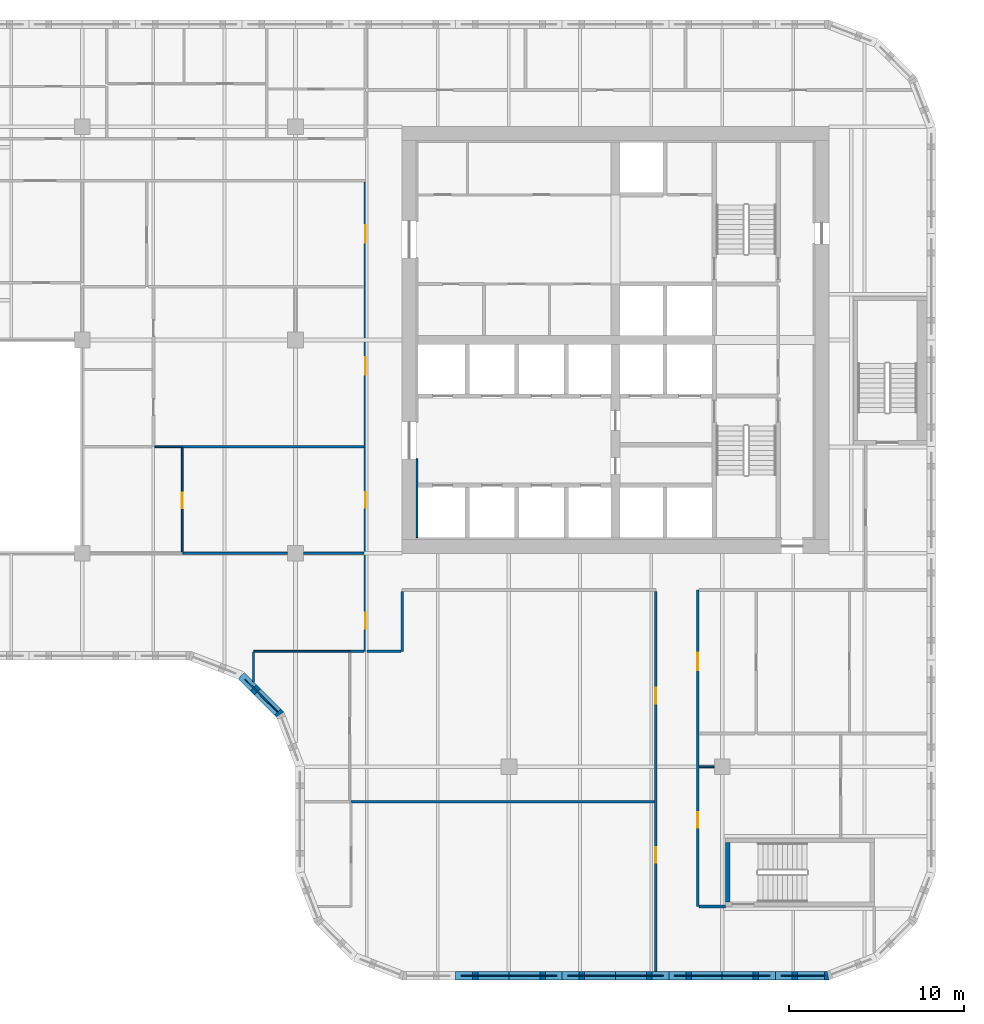
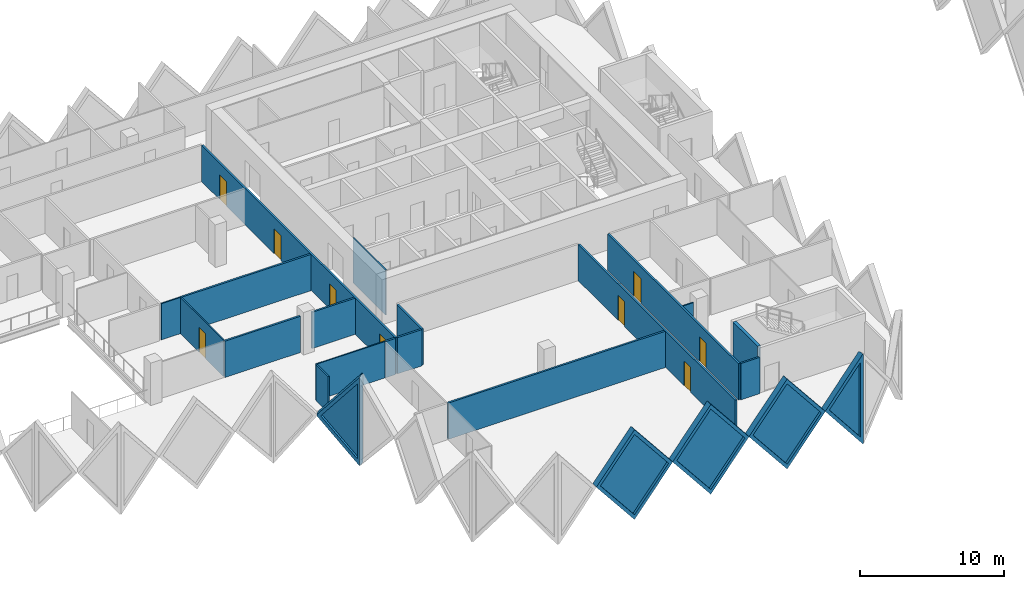
# One storey, part 5 of 18: 23 walls, 9 doors, 5 plates, 14 openings.
"""IFC4 building model written with IfcOpenShell, lengths in metres."""

from ifc_helpers import new_model, si_unit, direction, frame, frame_2d, origin, place, context, subcontext, project, spatial, polyline, rectangle, outline, extrude, faceted_brep, source, transform, mapped, material, layer, layer_set, type_object, element, fill, save


model = new_model("IFC4")

# Units and contexts
model_context = context("Model", 3, precision=1e-05, world=origin(), true_north=direction((0.0, 1.0)))
body_context = subcontext(model_context, "Body", "Model", "MODEL_VIEW")
ifc_project = project(units=[si_unit("LENGTHUNIT", "METRE"), si_unit("AREAUNIT", "SQUARE_METRE"), si_unit("VOLUMEUNIT", "CUBIC_METRE"), si_unit("PLANEANGLEUNIT", "RADIAN"), si_unit("MASSUNIT", "GRAM", prefix="KILO")], contexts=[model_context])

# Site, building, storey
site_placement = place(None, origin())
site = spatial("IfcSite", under=ifc_project, at=site_placement, CompositionType="ELEMENT")
building_placement = place(site_placement, origin())
building = spatial("IfcBuilding", under=site, at=building_placement, Name="Tessera Gate Towers", CompositionType="ELEMENT")
storey_placement = place(building_placement, frame((0.0, 0.0, 99.0)))
storey = spatial("IfcBuildingStorey", under=building, at=storey_placement, Name="L24", CompositionType="ELEMENT", Elevation=99.0)

# Walls
ifc_material_1 = material(Name="Concrete C40/50", Category="concrete")
ifc_layer_1 = layer(ifc_material_1, 0.25)
ifc_layer_set_1 = layer_set([ifc_layer_1], Name="CORE ENCLOSURE WALL 250")
wall_type_1 = type_object("IfcWallType", Name="CORE ENCLOSURE WALL 250", PredefinedType="SOLIDWALL", material=ifc_layer_set_1)
wall_1_placement = place(storey_placement, frame((49.125, 4.449951171875, 0.0), z_axis=(0.0, 0.0, 1.0), x_axis=(0.0, 1.0, 0.0)))
element("IfcWall", 1, at=wall_1_placement, inside=storey, type_object=wall_type_1, Name="L24 ST4 enclosure wall", PredefinedType="SOLIDWALL", context=body_context, shape_type="SweptSolid", body=[
    extrude(rectangle(XDim=3.400146484375, YDim=0.25, at=frame_2d((1.7001953125, 0.0))), origin(), (0.0, 0.0, 1.0), 3.800048828125),
])
ifc_material_2 = material(Name="Concrete C60/75", Category="concrete")
ifc_layer_2 = layer(ifc_material_2, 0.10009765625)
ifc_layer_set_2 = layer_set([ifc_layer_2], Name="CORE WALL THICKENING 100")
wall_type_2 = type_object("IfcWallType", Name="CORE WALL THICKENING 100", PredefinedType="SOLIDWALL", material=ifc_layer_set_2)
wall_2_placement = place(storey_placement, frame((31.35009765625, 25.300048828125, 0.0), z_axis=(0.0, 0.0, 1.0), x_axis=(0.0, 1.0, 0.0)))
element("IfcWall", 2, at=wall_2_placement, inside=storey, type_object=wall_type_2, Name="Core wall thickening W L24", PredefinedType="SOLIDWALL", context=body_context, shape_type="SweptSolid", body=[
    extrude(rectangle(XDim=4.5, YDim=0.10009765625, at=frame_2d((2.25, 0.0))), origin(), (0.0, 0.0, 1.0), 3.800048828125),
])

# Wall, openings, doors
ifc_material_3 = material(Name="Gypsum board on steel studs, mineral wool", Category="steel")
ifc_layer_3 = layer(ifc_material_3, 0.14990234375)
ifc_layer_set_3 = layer_set([ifc_layer_3], Name="CORRIDOR WALL 150")
wall_type_3 = type_object("IfcWallType", Name="CORRIDOR WALL 150", PredefinedType="PARTITIONING", material=ifc_layer_set_3)
wall_3_placement = place(storey_placement, frame((45.0, 0.5, 0.0), z_axis=(0.0, 0.0, 1.0), x_axis=(0.0, 1.0, 0.0)))
wall_3 = element("IfcWall", 3, at=wall_3_placement, inside=storey, type_object=wall_type_3, Name="T1-L24-PW-001", PredefinedType="PARTITIONING", context=body_context, shape_type="SweptSolid", body=[
    extrude(rectangle(XDim=21.72412109375, YDim=0.14990234375, at=frame_2d((10.862060546875, 0.0))), origin(), (0.0, 0.0, 1.0), 3.06689453125),
])
shared_shape_1 = source(origin(), body_context, "Body", "SweptSolid", [
    extrude(rectangle(XDim=0.89990234375, YDim=2.10009765625, at=frame_2d((0.449951171875, 1.050048828125))), frame((0.0, 0.0849609375, 0.0), z_axis=(0.0, -1.0, 0.0), x_axis=(1.0, 0.0, 0.0)), (0.0, 0.0, 1.0), 0.169921875),
])
opening_1_placement = place(wall_3_placement, frame((6.199951171875, 0.0, 0.0)))
opening_1 = element("IfcOpeningElement", 4, at=opening_1_placement, cuts=wall_3, Name="Opening D890FD60-A09-03", PredefinedType="OPENING", context=body_context, shape_type="MappedRepresentation", body=[
    mapped(shared_shape_1, transform((0.0, 0.0, 0.0), scale=1.0)),
])
opening_2_placement = place(wall_3_placement, frame((15.300048828125, 0.0, 0.0)))
opening_2 = element("IfcOpeningElement", 5, at=opening_2_placement, cuts=wall_3, Name="Opening D890FD60-A09-11", PredefinedType="OPENING", context=body_context, shape_type="MappedRepresentation", body=[
    mapped(shared_shape_1, transform((0.0, 0.0, 0.0), scale=1.0)),
])
ifc_material_4 = material(Name="Timber door leaf in steel frame", Category="steel")
door_type_1 = type_object("IfcDoorType", Name="CORRIDOR DOOR 900 FD60", OperationType="NOTDEFINED", PredefinedType="DOOR", material=ifc_material_4)
shared_shape_2 = source(origin(), body_context, "Body", "SweptSolid", [
    extrude(rectangle(XDim=0.89990234375, YDim=2.10009765625, at=frame_2d((0.449951171875, 1.050048828125))), frame((0.0, 0.02490234375, 0.0), z_axis=(0.0, -1.0, 0.0), x_axis=(1.0, 0.0, 0.0)), (0.0, 0.0, 1.0), 0.050048828125),
])
door_1_placement = place(opening_1_placement, origin())
door_1 = element("IfcDoor", 6, at=door_1_placement, inside=storey, type_object=door_type_1, Name="T1-L24-PD-015", OperationType="SINGLE_SWING_LEFT", OverallHeight=2.10009765625, OverallWidth=0.89990234375, PredefinedType="DOOR", context=body_context, shape_type="MappedRepresentation", body=[
    mapped(shared_shape_2, transform((0.0, 0.0, 0.0), scale=1.0)),
])
fill(opening_1, door_1)
door_2_placement = place(opening_2_placement, origin())
door_2 = element("IfcDoor", 7, at=door_2_placement, inside=storey, type_object=door_type_1, Name="T1-L24-PD-030", OperationType="SINGLE_SWING_LEFT", OverallHeight=2.10009765625, OverallWidth=0.89990234375, PredefinedType="DOOR", context=body_context, shape_type="MappedRepresentation", body=[
    mapped(shared_shape_2, transform((0.0, 0.0, 0.0), scale=1.0)),
])
fill(opening_2, door_2)

wall_4_placement = place(storey_placement, frame((47.39990234375, 22.300048828125, 0.0), z_axis=(0.0, 0.0, 1.0), x_axis=(0.0, -1.0, 0.0)))
wall_4 = element("IfcWall", 8, at=wall_4_placement, inside=storey, type_object=wall_type_3, Name="T1-L24-PW-005", PredefinedType="PARTITIONING", context=body_context, shape_type="SweptSolid", body=[
    extrude(rectangle(XDim=18.10009765625, YDim=0.14990234375, at=frame_2d((9.050048828125, 0.0))), origin(), (0.0, 0.0, 1.0), 3.06689453125),
])
shared_shape_3 = source(origin(), body_context, "Body", "SweptSolid", [
    extrude(rectangle(XDim=1.0, YDim=2.10009765625, at=frame_2d((0.5, 1.050048828125))), frame((0.0, 0.0849609375, 0.0), z_axis=(0.0, -1.0, 0.0), x_axis=(1.0, 0.0, 0.0)), (0.0, 0.0, 1.0), 0.169921875),
])
opening_3_placement = place(wall_4_placement, frame((3.59912109375, 0.0, 0.0)))
opening_3 = element("IfcOpeningElement", 9, at=opening_3_placement, cuts=wall_4, Name="Opening D2100FD60-A09-02", PredefinedType="OPENING", context=body_context, shape_type="MappedRepresentation", body=[
    mapped(shared_shape_3, transform((0.0, 0.0, 0.0), scale=1.0)),
])
opening_4_placement = place(wall_4_placement, frame((12.699951171875, 0.0, 0.0)))
opening_4 = element("IfcOpeningElement", 10, at=opening_4_placement, cuts=wall_4, Name="Opening D890FD60-A09-10", PredefinedType="OPENING", context=body_context, shape_type="MappedRepresentation", body=[
    mapped(shared_shape_1, transform((0.0, 0.0, 0.0), scale=1.0)),
])
door_3_placement = place(opening_4_placement, origin())
door_3 = element("IfcDoor", 11, at=door_3_placement, inside=storey, type_object=door_type_1, Name="T1-L24-PD-029", OperationType="SINGLE_SWING_RIGHT", OverallHeight=2.10009765625, OverallWidth=0.89990234375, PredefinedType="DOOR", context=body_context, shape_type="MappedRepresentation", body=[
    mapped(shared_shape_2, transform((0.0, 0.0, 0.0), scale=1.0)),
])
fill(opening_4, door_3)
ifc_material_5 = material(Name="Timber door leaf in steel frame", Category="steel")
door_type_2 = type_object("IfcDoorType", Name="TENANCY ENTRANCE DOOR 1000 FD60", OperationType="NOTDEFINED", PredefinedType="DOOR", material=ifc_material_5)
shared_shape_4 = source(origin(), body_context, "Body", "SweptSolid", [
    extrude(rectangle(XDim=1.0, YDim=2.10009765625, at=frame_2d((0.5, 1.050048828125))), frame((0.0, 0.02490234375, 0.0), z_axis=(0.0, -1.0, 0.0), x_axis=(1.0, 0.0, 0.0)), (0.0, 0.0, 1.0), 0.050048828125),
])
door_4_placement = place(opening_3_placement, origin())
door_4 = element("IfcDoor", 12, at=door_4_placement, inside=storey, type_object=door_type_2, Name="T1-L24-PD-022", OperationType="SINGLE_SWING_RIGHT", OverallHeight=2.10009765625, OverallWidth=1.0, PredefinedType="DOOR", context=body_context, shape_type="MappedRepresentation", body=[
    mapped(shared_shape_4, transform((0.0, 0.0, 0.0), scale=1.0)),
])
fill(opening_3, door_4)

# Wall
wall_5_placement = place(storey_placement, frame((47.47607421875, 4.199951171875, 0.0), z_axis=(0.0, 0.0, 1.0), x_axis=(1.0, 0.0, 0.0)))
element("IfcWall", 13, at=wall_5_placement, inside=storey, type_object=wall_type_3, Name="T1-L24-PW-006", PredefinedType="PARTITIONING", context=body_context, shape_type="SweptSolid", body=[
    extrude(rectangle(XDim=1.52392578125, YDim=0.14990234375, at=frame_2d((0.761962890625, 0.0))), origin(), (0.0, 0.0, 1.0), 3.06689453125),
])

# Wall, openings, doors
wall_6_placement = place(storey_placement, frame((28.39990234375, 18.800048828125, 0.0), z_axis=(0.0, 0.0, 1.0), x_axis=(0.0, 1.0, 0.0)))
wall_6 = element("IfcWall", 14, at=wall_6_placement, inside=storey, type_object=wall_type_3, Name="T1-L24-PW-019", PredefinedType="PARTITIONING", context=body_context, shape_type="SweptSolid", body=[
    extrude(rectangle(XDim=26.823974609375, YDim=0.14990234375, at=frame_2d((13.412109375, 0.0))), origin(), (0.0, 0.0, 1.0), 3.06689453125),
])
opening_5_placement = place(wall_6_placement, frame((1.300048828125, 0.0, 0.0)))
opening_5 = element("IfcOpeningElement", 15, at=opening_5_placement, cuts=wall_6, Name="Opening D890FD60-A09-01", PredefinedType="OPENING", context=body_context, shape_type="MappedRepresentation", body=[
    mapped(shared_shape_1, transform((0.0, 0.0, 0.0), scale=1.0)),
])
opening_6_placement = place(wall_6_placement, frame((23.35107421875, 0.0, 0.0)))
opening_6 = element("IfcOpeningElement", 16, at=opening_6_placement, cuts=wall_6, Name="Opening D2100FD60-A09-01", PredefinedType="OPENING", context=body_context, shape_type="MappedRepresentation", body=[
    mapped(shared_shape_3, transform((0.0, 0.0, 0.0), scale=1.0)),
])
opening_7_placement = place(wall_6_placement, frame((8.199951171875, 0.0, 0.0)))
opening_7 = element("IfcOpeningElement", 17, at=opening_7_placement, cuts=wall_6, Name="Opening D890FD60-A09-05", PredefinedType="OPENING", context=body_context, shape_type="MappedRepresentation", body=[
    mapped(shared_shape_1, transform((0.0, 0.0, 0.0), scale=1.0)),
])
opening_8_placement = place(wall_6_placement, frame((15.800048828125, 0.0, 0.0)))
opening_8 = element("IfcOpeningElement", 18, at=opening_8_placement, cuts=wall_6, Name="Opening D2100FD60-A09-03", PredefinedType="OPENING", context=body_context, shape_type="MappedRepresentation", body=[
    mapped(shared_shape_3, transform((0.0, 0.0, 0.0), scale=1.0)),
])
door_5_placement = place(opening_5_placement, origin())
door_5 = element("IfcDoor", 19, at=door_5_placement, inside=storey, type_object=door_type_1, Name="T1-L24-PD-001", OperationType="SINGLE_SWING_LEFT", OverallHeight=2.10009765625, OverallWidth=0.89990234375, PredefinedType="DOOR", context=body_context, shape_type="MappedRepresentation", body=[
    mapped(shared_shape_2, transform((0.0, 0.0, 0.0), scale=1.0)),
])
fill(opening_5, door_5)
door_6_placement = place(opening_7_placement, origin())
door_6 = element("IfcDoor", 20, at=door_6_placement, inside=storey, type_object=door_type_1, Name="T1-L24-PD-018", OperationType="SINGLE_SWING_LEFT", OverallHeight=2.10009765625, OverallWidth=0.89990234375, PredefinedType="DOOR", context=body_context, shape_type="MappedRepresentation", body=[
    mapped(shared_shape_2, transform((0.0, 0.0, 0.0), scale=1.0)),
])
fill(opening_7, door_6)
door_7_placement = place(opening_6_placement, origin())
door_7 = element("IfcDoor", 21, at=door_7_placement, inside=storey, type_object=door_type_2, Name="T1-L24-PD-013", OperationType="SINGLE_SWING_LEFT", OverallHeight=2.10009765625, OverallWidth=1.0, PredefinedType="DOOR", context=body_context, shape_type="MappedRepresentation", body=[
    mapped(shared_shape_4, transform((0.0, 0.0, 0.0), scale=1.0)),
])
fill(opening_6, door_7)
door_8_placement = place(opening_8_placement, origin())
door_8 = element("IfcDoor", 22, at=door_8_placement, inside=storey, type_object=door_type_2, Name="T1-L24-PD-027", OperationType="SINGLE_SWING_LEFT", OverallHeight=2.10009765625, OverallWidth=1.0, PredefinedType="DOOR", context=body_context, shape_type="MappedRepresentation", body=[
    mapped(shared_shape_4, transform((0.0, 0.0, 0.0), scale=1.0)),
])
fill(opening_8, door_8)

# Walls
wall_7_placement = place(storey_placement, frame((28.47607421875, 18.800048828125, 0.0), z_axis=(0.0, 0.0, 1.0), x_axis=(1.0, 0.0, 0.0)))
element("IfcWall", 23, at=wall_7_placement, inside=storey, type_object=wall_type_3, Name="T1-L24-PW-020", PredefinedType="PARTITIONING", context=body_context, shape_type="SweptSolid", body=[
    extrude(rectangle(XDim=1.947998046875, YDim=0.14990234375, at=frame_2d((0.97412109375, 0.0))), origin(), (0.0, 0.0, 1.0), 3.06689453125),
])
wall_8_placement = place(storey_placement, frame((30.5, 18.800048828125, 0.0), z_axis=(0.0, 0.0, 1.0), x_axis=(0.0, 1.0, 0.0)))
element("IfcWall", 24, at=wall_8_placement, inside=storey, type_object=wall_type_3, Name="T1-L24-PW-021", PredefinedType="PARTITIONING", context=body_context, shape_type="SweptSolid", body=[
    extrude(rectangle(XDim=3.424072265625, YDim=0.14990234375, at=frame_2d((1.7119140625, 0.0))), origin(), (0.0, 0.0, 1.0), 3.06689453125),
])
ifc_material_6 = material(Name="Glass", Category="glass")
ifc_layer_4 = layer(ifc_material_6, 0.10009765625)
ifc_layer_set_4 = layer_set([ifc_layer_4], Name="GLAZED PARTITION 100")
wall_type_4 = type_object("IfcWallType", Name="GLAZED PARTITION 100", PredefinedType="PARTITIONING", material=ifc_layer_set_4)
wall_9_placement = place(storey_placement, frame((22.0, 17.054931640625, 0.0), z_axis=(0.0, 0.0, 1.0), x_axis=(0.0, 1.0, 0.0)))
element("IfcWall", 25, at=wall_9_placement, inside=storey, type_object=wall_type_4, Name="T1-L24-PW-016", PredefinedType="PARTITIONING", context=body_context, shape_type="SweptSolid", body=[
    extrude(rectangle(XDim=1.694091796875, YDim=0.10009765625, at=frame_2d((0.84716796875, 0.0))), origin(), (0.0, 0.0, 1.0), 3.06689453125),
])
wall_10_placement = place(storey_placement, frame((22.0, 18.800048828125, 0.0), z_axis=(0.0, 0.0, 1.0), x_axis=(1.0, 0.0, 0.0)))
element("IfcWall", 26, at=wall_10_placement, inside=storey, type_object=wall_type_4, Name="T1-L24-PW-017", PredefinedType="PARTITIONING", context=body_context, shape_type="SweptSolid", body=[
    extrude(rectangle(XDim=5.4990234375, YDim=0.10009765625, at=frame_2d((2.74951171875, 0.0))), origin(), (0.0, 0.0, 1.0), 3.06689453125),
])

# Wall, opening, door
wall_11_placement = place(storey_placement, frame((17.925048828125, 24.47607421875, 0.0), z_axis=(0.0, 0.0, 1.0), x_axis=(0.0, 1.0, 0.0)))
wall_11 = element("IfcWall", 27, at=wall_11_placement, inside=storey, type_object=wall_type_4, Name="T1-L24-PW-030", PredefinedType="PARTITIONING", context=body_context, shape_type="SweptSolid", body=[
    extrude(rectangle(XDim=5.947998046875, YDim=0.10009765625, at=frame_2d((2.97412109375, 0.0))), origin(), (0.0, 0.0, 1.0), 3.06689453125),
])
shared_shape_5 = source(origin(), body_context, "Body", "SweptSolid", [
    extrude(rectangle(XDim=0.89990234375, YDim=2.10009765625, at=frame_2d((0.449951171875, 1.050048828125))), frame((0.0, 0.06005859375, 0.0), z_axis=(0.0, -1.0, 0.0), x_axis=(1.0, 0.0, 0.0)), (0.0, 0.0, 1.0), 0.1201171875),
])
opening_9_placement = place(wall_11_placement, frame((2.5, 0.0, 0.0)))
opening_9 = element("IfcOpeningElement", 28, at=opening_9_placement, cuts=wall_11, Name="Opening D690-A09-02", PredefinedType="OPENING", context=body_context, shape_type="MappedRepresentation", body=[
    mapped(shared_shape_5, transform((0.0, 0.0, 0.0), scale=1.0)),
])
ifc_material_7 = material(Name="Glass in aluminium frame", Category="aluminium")
door_type_3 = type_object("IfcDoorType", Name="GLAZED DOOR 900 NOT RATED", OperationType="NOTDEFINED", PredefinedType="DOOR", material=ifc_material_7)
door_9_placement = place(opening_9_placement, origin())
door_9 = element("IfcDoor", 29, at=door_9_placement, inside=storey, type_object=door_type_3, Name="T1-L24-PD-012", OperationType="SINGLE_SWING_LEFT", OverallHeight=2.10009765625, OverallWidth=0.89990234375, PredefinedType="DOOR", context=body_context, shape_type="MappedRepresentation", body=[
    mapped(shared_shape_2, transform((0.0, 0.0, 0.0), scale=1.0)),
])
fill(opening_9, door_9)

# Walls
wall_12_placement = place(storey_placement, frame((16.35107421875, 30.5, 0.0), z_axis=(0.0, 0.0, 1.0), x_axis=(1.0, 0.0, 0.0)))
element("IfcWall", 30, at=wall_12_placement, inside=storey, type_object=wall_type_4, Name="T1-L24-PW-033", PredefinedType="PARTITIONING", context=body_context, shape_type="SweptSolid", body=[
    extrude(rectangle(XDim=1.572998046875, YDim=0.10009765625, at=frame_2d((0.78662109375, 0.0))), origin(), (0.0, 0.0, 1.0), 3.06689453125),
])
ifc_material_8 = material(Name="Gypsum board on steel studs", Category="steel")
ifc_layer_5 = layer(ifc_material_8, 0.10009765625)
ifc_layer_set_5 = layer_set([ifc_layer_5], Name="PARTITION 100")
wall_type_5 = type_object("IfcWallType", Name="PARTITION 100", PredefinedType="PARTITIONING", material=ifc_layer_set_5)
wall_13_placement = place(storey_placement, frame((48.35009765625, 12.199951171875, 0.0), z_axis=(0.0, 0.0, 1.0), x_axis=(-1.0, 0.0, 0.0)))
element("IfcWall", 31, at=wall_13_placement, inside=storey, type_object=wall_type_5, Name="T1-L24-PW-011", PredefinedType="PARTITIONING", context=body_context, shape_type="SweptSolid", body=[
    extrude(rectangle(XDim=0.875, YDim=0.10009765625, at=frame_2d((0.4375, 0.0))), origin(), (0.0, 0.0, 1.0), 3.06689453125),
])
ifc_material_9 = material(Name="Gypsum board on steel studs, mineral wool", Category="steel")
ifc_layer_6 = layer(ifc_material_9, 0.14990234375)
ifc_layer_set_6 = layer_set([ifc_layer_6], Name="TENANCY WALL 150")
wall_type_6 = type_object("IfcWallType", Name="TENANCY WALL 150", PredefinedType="PARTITIONING", material=ifc_layer_set_6)
wall_14_placement = place(storey_placement, frame((27.574951171875, 10.199951171875, 0.0), z_axis=(0.0, 0.0, 1.0), x_axis=(1.0, 0.0, 0.0)))
element("IfcWall", 32, at=wall_14_placement, inside=storey, type_object=wall_type_6, Name="T1-L24-PW-009", PredefinedType="PARTITIONING", context=body_context, shape_type="SweptSolid", body=[
    extrude(rectangle(XDim=17.34912109375, YDim=0.14990234375, at=frame_2d((8.674560546875, 0.0))), origin(), (0.0, 0.0, 1.0), 3.06689453125),
])
wall_15_placement = place(storey_placement, frame((27.5, 18.800048828125, 0.0), z_axis=(0.0, 0.0, 1.0), x_axis=(1.0, 0.0, 0.0)))
element("IfcWall", 33, at=wall_15_placement, inside=storey, type_object=wall_type_6, Name="T1-L24-PW-018", PredefinedType="PARTITIONING", context=body_context, shape_type="SweptSolid", body=[
    extrude(rectangle(XDim=0.823974609375, YDim=0.14990234375, at=frame_2d((0.412109375, 0.0))), origin(), (0.0, 0.0, 1.0), 3.06689453125),
])
wall_16_placement = place(storey_placement, frame((17.925048828125, 24.39990234375, 0.0), z_axis=(0.0, 0.0, 1.0), x_axis=(1.0, 0.0, 0.0)))
element("IfcWall", 34, at=wall_16_placement, inside=storey, type_object=wall_type_6, Name="T1-L24-PW-028", PredefinedType="PARTITIONING", context=body_context, shape_type="SweptSolid", body=[
    extrude(rectangle(XDim=6.02392578125, YDim=0.14990234375, at=frame_2d((3.011962890625, 0.0))), origin(), (0.0, 0.0, 1.0), 3.06689453125),
])
wall_17_placement = place(storey_placement, frame((24.85107421875, 24.39990234375, 0.0), z_axis=(0.0, 0.0, 1.0), x_axis=(1.0, 0.0, 0.0)))
element("IfcWall", 35, at=wall_17_placement, inside=storey, type_object=wall_type_6, Name="T1-L24-PW-029", PredefinedType="PARTITIONING", context=body_context, shape_type="SweptSolid", body=[
    extrude(rectangle(XDim=3.472900390625, YDim=0.14990234375, at=frame_2d((1.736328125, 0.0))), origin(), (0.0, 0.0, 1.0), 3.06689453125),
])
wall_18_placement = place(storey_placement, frame((17.925048828125, 30.5, 0.0), z_axis=(0.0, 0.0, 1.0), x_axis=(1.0, 0.0, 0.0)))
element("IfcWall", 36, at=wall_18_placement, inside=storey, type_object=wall_type_6, Name="T1-L24-PW-034", PredefinedType="PARTITIONING", context=body_context, shape_type="SweptSolid", body=[
    extrude(rectangle(XDim=10.39892578125, YDim=0.14990234375, at=frame_2d((5.199462890625, 0.0))), origin(), (0.0, 0.0, 1.0), 3.06689453125),
])

# Wall, opening, plate
ifc_material_10 = material(Name="Precast concrete C60/75 white", Category="concrete")
ifc_layer_7 = layer(ifc_material_10, 0.5)
ifc_layer_set_7 = layer_set([ifc_layer_7], Name="TS1 tessera")
wall_type_7 = type_object("IfcWallType", Name="TS1 tessera", PredefinedType="SOLIDWALL", material=ifc_layer_set_7)
shared_shape_6 = source(origin(), body_context, "Body", "Brep", [
    faceted_brep([(3.050048828125, -0.25, 0.0), (6.099853515625, -0.25, 3.7998046875), (6.099853515625, -0.25, 3.80029296875), (3.050048828125, -0.25, 7.60009765625), (0.0, -0.25, 3.800048828125), (0.0, 0.25, 3.800048828125), (3.050048828125, 0.25, 7.60009765625), (6.099853515625, 0.25, 3.80029296875), (6.099853515625, 0.25, 3.7998046875), (3.050048828125, 0.25, 0.0)], [[[0, 1, 2, 3, 4]], [[5, 6, 7, 8, 9]], [[9, 8, 1, 0]], [[7, 6, 3, 2]], [[6, 5, 4, 3]], [[5, 9, 0, 4]], [[1, 8, 7, 2]]]),
])
wall_19_placement = place(storey_placement, frame((33.550048828125, 0.25, -3.800048828125), z_axis=(0.0, 0.0, 1.0), x_axis=(1.0, 0.0, 0.0)))
wall_19 = element("IfcWall", 37, at=wall_19_placement, inside=storey, type_object=wall_type_7, Name="Precast tessera T1 TS1-0391", PredefinedType="SOLIDWALL", context=body_context, shape_type="MappedRepresentation", body=[
    mapped(shared_shape_6, transform((0.0, 0.0, 0.0), scale=1.0)),
])
shared_shape_7 = source(origin(), body_context, "Body", "SweptSolid", [
    extrude(outline(polyline([(3.050048828125, 0.3994140625), (5.779541015625, 3.800048828125), (3.050048828125, 7.20068359375), (0.320556640625, 3.800048828125), (3.050048828125, 0.3994140625)])), frame((0.0, 0.260009765625, 0.0), z_axis=(0.0, -1.0, 0.0), x_axis=(1.0, 0.0, 0.0)), (0.0, 0.0, 1.0), 0.52001953125),
])
opening_10_placement = place(wall_19_placement, origin())
opening_10 = element("IfcOpeningElement", 38, at=opening_10_placement, cuts=wall_19, Name="Opening T1-PL2-0801", PredefinedType="OPENING", context=body_context, shape_type="MappedRepresentation", body=[
    mapped(shared_shape_7, transform((0.0, 0.0, 0.0), scale=1.0)),
])
ifc_material_11 = material(Name="Low-e laminated glass", Category="glass")
ifc_layer_8 = layer(ifc_material_11, 0.06005859375)
ifc_layer_set_8 = layer_set([ifc_layer_8], Name="PL2 rhombic pane")
plate_type = type_object("IfcPlateType", Name="PL2 rhombic pane", PredefinedType="SHEET", material=ifc_layer_set_8)
shared_shape_8 = source(origin(), body_context, "Body", "SweptSolid", [
    extrude(outline(polyline([(3.050048828125, 0.3994140625), (5.779541015625, 3.800048828125), (3.050048828125, 7.20068359375), (0.320556640625, 3.800048828125), (3.050048828125, 0.3994140625)])), frame((0.0, 0.030029296875, 0.0), z_axis=(0.0, -1.0, 0.0), x_axis=(1.0, 0.0, 0.0)), (0.0, 0.0, 1.0), 0.06005859375),
])
plate_1_placement = place(opening_10_placement, origin())
plate_1 = element("IfcPlate", 39, at=plate_1_placement, inside=storey, type_object=plate_type, Name="Glass pane T1 PL2-0801", PredefinedType="SHEET", context=body_context, shape_type="MappedRepresentation", body=[
    mapped(shared_shape_8, transform((0.0, 0.0, 0.0), scale=1.0)),
])
fill(opening_10, plate_1)

shared_shape_9 = source(origin(), body_context, "Body", "SweptSolid", [
    extrude(outline(polyline([(3.050048828125, 0.0), (6.10009765625, 3.800048828125), (3.050048828125, 7.60009765625), (0.0, 3.800048828125), (3.050048828125, 0.0)])), frame((0.0, 0.25, 0.0), z_axis=(0.0, -1.0, 0.0), x_axis=(1.0, 0.0, 0.0)), (0.0, 0.0, 1.0), 0.5),
])
wall_20_placement = place(storey_placement, frame((39.64990234375, 0.25, -3.800048828125), z_axis=(0.0, 0.0, 1.0), x_axis=(1.0, 0.0, 0.0)))
wall_20 = element("IfcWall", 40, at=wall_20_placement, inside=storey, type_object=wall_type_7, Name="Precast tessera T1 TS1-0392", PredefinedType="SOLIDWALL", context=body_context, shape_type="MappedRepresentation", body=[
    mapped(shared_shape_9, transform((0.0, 0.0, 0.0), scale=1.0)),
])
opening_11_placement = place(wall_20_placement, origin())
opening_11 = element("IfcOpeningElement", 41, at=opening_11_placement, cuts=wall_20, Name="Opening T1-PL2-0802", PredefinedType="OPENING", context=body_context, shape_type="MappedRepresentation", body=[
    mapped(shared_shape_7, transform((0.0, 0.0, 0.0), scale=1.0)),
])
plate_2_placement = place(opening_11_placement, origin())
plate_2 = element("IfcPlate", 42, at=plate_2_placement, inside=storey, type_object=plate_type, Name="Glass pane T1 PL2-0802", PredefinedType="SHEET", context=body_context, shape_type="MappedRepresentation", body=[
    mapped(shared_shape_8, transform((0.0, 0.0, 0.0), scale=1.0)),
])
fill(opening_11, plate_2)

wall_21_placement = place(storey_placement, frame((45.75, 0.25, -3.800048828125), z_axis=(0.0, 0.0, 1.0), x_axis=(1.0, 0.0, 0.0)))
wall_21 = element("IfcWall", 43, at=wall_21_placement, inside=storey, type_object=wall_type_7, Name="Precast tessera T1 TS1-0393", PredefinedType="SOLIDWALL", context=body_context, shape_type="MappedRepresentation", body=[
    mapped(shared_shape_9, transform((0.0, 0.0, 0.0), scale=1.0)),
])
opening_12_placement = place(wall_21_placement, origin())
opening_12 = element("IfcOpeningElement", 44, at=opening_12_placement, cuts=wall_21, Name="Opening T1-PL2-0803", PredefinedType="OPENING", context=body_context, shape_type="MappedRepresentation", body=[
    mapped(shared_shape_7, transform((0.0, 0.0, 0.0), scale=1.0)),
])
plate_3_placement = place(opening_12_placement, origin())
plate_3 = element("IfcPlate", 45, at=plate_3_placement, inside=storey, type_object=plate_type, Name="Glass pane T1 PL2-0803", PredefinedType="SHEET", context=body_context, shape_type="MappedRepresentation", body=[
    mapped(shared_shape_8, transform((0.0, 0.0, 0.0), scale=1.0)),
])
fill(opening_12, plate_3)

ifc_material_12 = material(Name="Precast concrete C60/75 white", Category="concrete")
ifc_layer_9 = layer(ifc_material_12, 0.5)
ifc_layer_set_9 = layer_set([ifc_layer_9], Name="TS3 corner tessera")
wall_type_8 = type_object("IfcWallType", Name="TS3 corner tessera", PredefinedType="SOLIDWALL", material=ifc_layer_set_9)
shared_shape_10 = source(origin(), body_context, "Body", "Brep", [
    faceted_brep([(3.00341796875, -0.25, 0.0), (3.050048828125, -0.25, 0.06005859375), (3.050048828125, -0.25, 7.5400390625), (3.00341796875, -0.25, 7.60009765625), (0.0, -0.25, 3.800048828125), (0.0, 0.25, 3.800048828125), (2.956787109375, 0.25, 7.541259765625), (2.956787109375, 0.25, 0.058837890625), (3.00341796875, 0.000244140625, 0.0), (3.00341796875, 0.000244140625, 7.60009765625)], [[[0, 1, 2, 3, 4]], [[5, 6, 7]], [[1, 0, 8]], [[9, 3, 2]], [[6, 5, 4, 3, 9]], [[5, 7, 8, 0, 4]], [[1, 8, 7, 6, 9, 2]]]),
])
wall_22_placement = place(storey_placement, frame((51.85009765625, 0.25, -3.800048828125), z_axis=(0.0, 0.0, 1.0), x_axis=(1.0, 0.0, 0.0)))
wall_22 = element("IfcWall", 46, at=wall_22_placement, inside=storey, type_object=wall_type_8, Name="Precast corner tessera T1 TS3-0531", PredefinedType="SOLIDWALL", context=body_context, shape_type="MappedRepresentation", body=[
    mapped(shared_shape_10, transform((0.0, 0.0, 0.0), scale=1.0)),
])
shared_shape_11 = source(origin(), body_context, "Body", "SweptSolid", [
    extrude(outline(polyline([(2.803466796875, 6.94384765625), (0.318603515625, 3.800048828125), (2.803466796875, 0.65625), (2.803466796875, 6.94384765625)])), frame((0.0, 0.260009765625, 0.0), z_axis=(0.0, -1.0, 0.0), x_axis=(1.0, 0.0, 0.0)), (0.0, 0.0, 1.0), 0.52001953125),
])
opening_13_placement = place(wall_22_placement, origin())
opening_13 = element("IfcOpeningElement", 47, at=opening_13_placement, cuts=wall_22, Name="Opening T1-PL2-0804", PredefinedType="OPENING", context=body_context, shape_type="MappedRepresentation", body=[
    mapped(shared_shape_11, transform((0.0, 0.0, 0.0), scale=1.0)),
])
shared_shape_12 = source(origin(), body_context, "Body", "SweptSolid", [
    extrude(outline(polyline([(2.803466796875, 6.94384765625), (0.318603515625, 3.800048828125), (2.803466796875, 0.65625), (2.803466796875, 6.94384765625)])), frame((0.0, 0.030029296875, 0.0), z_axis=(0.0, -1.0, 0.0), x_axis=(1.0, 0.0, 0.0)), (0.0, 0.0, 1.0), 0.06005859375),
])
plate_4_placement = place(opening_13_placement, origin())
plate_4 = element("IfcPlate", 48, at=plate_4_placement, inside=storey, type_object=plate_type, Name="Glass pane T1 PL2-0804", PredefinedType="SHEET", context=body_context, shape_type="MappedRepresentation", body=[
    mapped(shared_shape_12, transform((0.0, 0.0, 0.0), scale=1.0)),
])
fill(opening_13, plate_4)

shared_shape_13 = source(origin(), body_context, "Body", "Brep", [
    faceted_brep([(3.10302734375, -0.25, 7.536376953125), (0.052978515625, -0.25, 3.86376953125), (0.052978515625, -0.25, 3.736328125), (3.10302734375, -0.25, 0.063720703125), (0.0, 0.25, 3.800048828125), (3.15576171875, 0.25, 7.60009765625), (3.208740234375, 0.25, 7.5361328125), (3.208740234375, 0.25, 0.06396484375), (3.15576171875, 0.25, 0.0), (3.15576171875, -0.00048828125, 0.0), (3.15576171875, -0.00048828125, 7.60009765625), (0.0, 0.0, 3.800048828125)], [[[0, 1, 2, 3]], [[4, 5, 6, 7, 8]], [[8, 7, 9]], [[6, 5, 10]], [[5, 4, 11, 1, 0, 10]], [[4, 8, 9, 3, 2, 11]], [[11, 2, 1]], [[3, 9, 7, 6, 10, 0]]]),
])
wall_23_placement = place(storey_placement, frame((21.284912109375, 17.41650390625, -3.800048828125), z_axis=(0.0, 0.0, 1.0), x_axis=(0.707106781187, -0.707106781187, 0.0)))
wall_23 = element("IfcWall", 49, at=wall_23_placement, inside=storey, type_object=wall_type_8, Name="Precast corner tessera T1 TS3-0549", PredefinedType="SOLIDWALL", context=body_context, shape_type="MappedRepresentation", body=[
    mapped(shared_shape_13, transform((0.0, 0.0, 0.0), scale=1.0)),
])
shared_shape_14 = source(origin(), body_context, "Body", "SweptSolid", [
    extrude(outline(polyline([(2.955810546875, 6.968017578125), (0.324951171875, 3.800048828125), (2.955810546875, 0.632080078125), (2.955810546875, 6.968017578125)])), frame((0.0, 0.260009765625, 0.0), z_axis=(0.0, -1.0, 0.0), x_axis=(1.0, 0.0, 0.0)), (0.0, 0.0, 1.0), 0.52001953125),
])
opening_14_placement = place(wall_23_placement, origin())
opening_14 = element("IfcOpeningElement", 50, at=opening_14_placement, cuts=wall_23, Name="Opening T1-PL2-0841", PredefinedType="OPENING", context=body_context, shape_type="MappedRepresentation", body=[
    mapped(shared_shape_14, transform((0.0, 0.0, 0.0), scale=1.0)),
])
shared_shape_15 = source(origin(), body_context, "Body", "SweptSolid", [
    extrude(outline(polyline([(2.955810546875, 6.968017578125), (0.324951171875, 3.800048828125), (2.955810546875, 0.632080078125), (2.955810546875, 6.968017578125)])), frame((0.0, 0.030029296875, 0.0), z_axis=(0.0, -1.0, 0.0), x_axis=(1.0, 0.0, 0.0)), (0.0, 0.0, 1.0), 0.06005859375),
])
plate_5_placement = place(opening_14_placement, origin())
plate_5 = element("IfcPlate", 51, at=plate_5_placement, inside=storey, type_object=plate_type, Name="Glass pane T1 PL2-0841", PredefinedType="SHEET", context=body_context, shape_type="MappedRepresentation", body=[
    mapped(shared_shape_15, transform((0.0, 0.0, 0.0), scale=1.0)),
])
fill(opening_14, plate_5)

save(model, "model.ifc")
